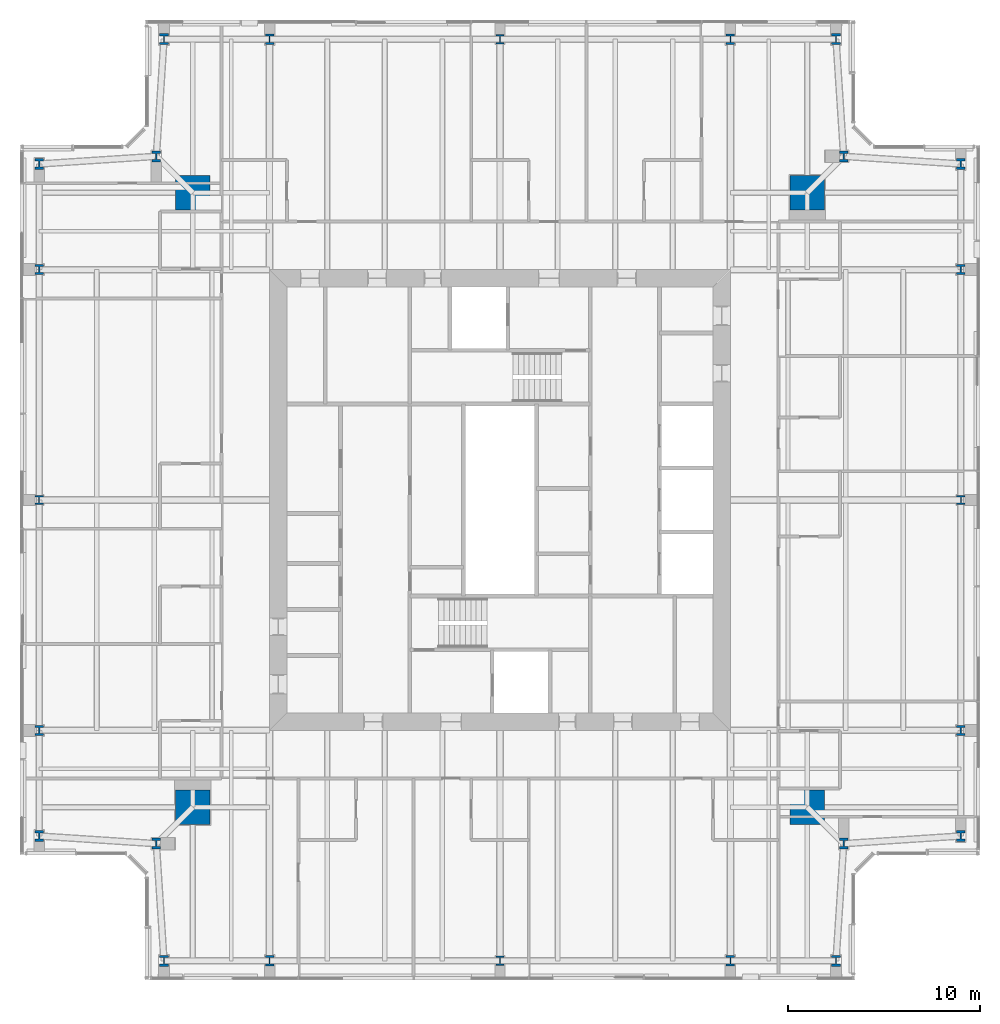
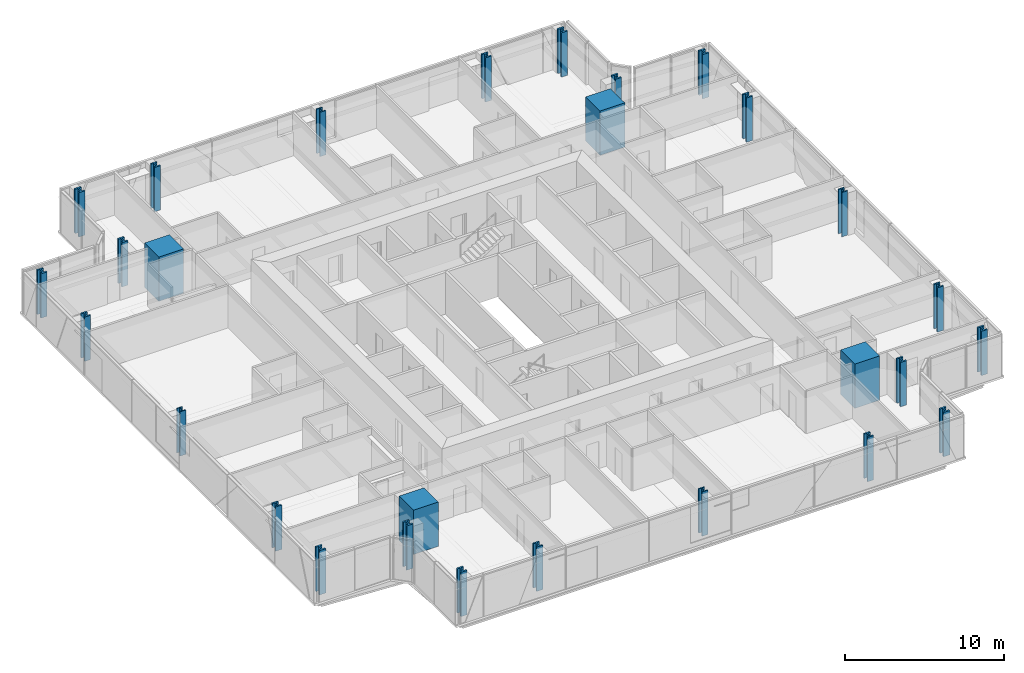
# One storey, part 1 of 20: 28 columns.
"""IFC4 building model written with IfcOpenShell, lengths in metres."""

from ifc_helpers import new_model, si_unit, direction, frame, origin, origin_2d, place, context, subcontext, project, spatial, rectangle, i_section, extrude, material, material_profile, profile_set, type_object, element, save


model = new_model("IFC4")

# Units and contexts
model_context = context("Model", 3, precision=1e-05, world=origin(), true_north=direction((0.0, 1.0)))
body_context = subcontext(model_context, "Body", "Model", "MODEL_VIEW")
ifc_project = project(units=[si_unit("LENGTHUNIT", "METRE"), si_unit("AREAUNIT", "SQUARE_METRE"), si_unit("VOLUMEUNIT", "CUBIC_METRE"), si_unit("PLANEANGLEUNIT", "RADIAN"), si_unit("MASSUNIT", "GRAM", prefix="KILO")], contexts=[model_context])

# Site, building, storey
site_placement = place(None, origin())
site = spatial("IfcSite", under=ifc_project, at=site_placement, CompositionType="ELEMENT")
building_placement = place(site_placement, origin())
building = spatial("IfcBuilding", under=site, at=building_placement, Name="Fenwick Lantern Interchange", CompositionType="ELEMENT")
storey_placement = place(building_placement, frame((0.0, 0.0, 286.60009765625)))
storey = spatial("IfcBuildingStorey", under=building, at=storey_placement, Name="L69", CompositionType="ELEMENT", Elevation=286.60009765625)

# Columns
ifc_material_1 = material(Name="Concrete f'c 70 MPa", Category="concrete")
ifc_material_profile_1 = material_profile(ifc_material_1, rectangle(XDim=1.800048828125, YDim=1.800048828125, at=origin_2d()), Name="RC1800X1800")
ifc_profile_set_1 = profile_set([ifc_material_profile_1], Name="Concrete f'c 70 MPa")
column_type_1 = type_object("IfcColumnType", Name="MEGA COLUMN RC1800X1800", PredefinedType="COLUMN", material=ifc_profile_set_1)
for number, where, z_axis, x_axis, name in (
    (1, (9.0, 9.0, 0.0), (0.0, 0.0, 1.0), (1.0, 0.0, 0.0), "L69/M1"),
    (2, (41.0, 9.0, 0.0), (0.0, 0.0, 1.0), (1.0, 0.0, 0.0), "L69/M2"),
    (3, (41.0, 41.0, 0.0), (0.0, 0.0, 1.0), (1.0, 0.0, 0.0), "L69/M3"),
    (4, (9.0, 41.0, 0.0), (0.0, 0.0, 1.0), (1.0, 0.0, 0.0), "L69/M4"),
):
    element("IfcColumn", number, at=place(storey_placement, frame(where, z_axis=z_axis, x_axis=x_axis)), inside=storey, type_object=column_type_1, Name=name, PredefinedType="COLUMN", context=body_context, shape_type="SweptSolid", body=[
        extrude(rectangle(XDim=1.800048828125, YDim=1.800048828125, at=origin_2d()), origin(), (0.0, 0.0, 1.0), 3.39990234375),
    ])
ifc_material_2 = material(Name="Steel ASTM A992 Grade 50", Category="steel")
ifc_material_profile_2 = material_profile(ifc_material_2, i_section(OverallWidth=0.424072265625, OverallDepth=0.47509765625, WebThickness=0.0478515625, FlangeThickness=0.0771484375, at=origin_2d()), Name="W14X426")
ifc_profile_set_2 = profile_set([ifc_material_profile_2], Name="Steel ASTM A992 Grade 50")
column_type_2 = type_object("IfcColumnType", Name="PERIMETER COLUMN W14X426", PredefinedType="COLUMN", material=ifc_profile_set_2)
for number, where, z_axis, x_axis, name in (
    (5, (25.0, 1.0, 0.0), (0.0, 0.0, 1.0), (1.0, 0.0, 0.0), "L69/CS3"),
    (6, (49.0, 25.0, 0.0), (0.0, 0.0, 1.0), (1.0, 0.0, 0.0), "L69/CE3"),
    (7, (25.0, 49.0, 0.0), (0.0, 0.0, 1.0), (1.0, 0.0, 0.0), "L69/CN3"),
    (8, (1.0, 25.0, 0.0), (0.0, 0.0, 1.0), (1.0, 0.0, 0.0), "L69/CW3"),
):
    element("IfcColumn", number, at=place(storey_placement, frame(where, z_axis=z_axis, x_axis=x_axis)), inside=storey, type_object=column_type_2, Name=name, PredefinedType="COLUMN", context=body_context, shape_type="SweptSolid", body=[
        extrude(i_section(OverallWidth=0.424072265625, OverallDepth=0.47509765625, WebThickness=0.0478515625, FlangeThickness=0.0771484375, at=origin_2d()), origin(), (0.0, 0.0, 1.0), 3.39990234375),
    ])
ifc_material_profile_3 = material_profile(ifc_material_2, i_section(OverallWidth=0.44189453125, OverallDepth=0.53076171875, WebThickness=0.06591796875, FlangeThickness=0.105712890625, at=origin_2d()), Name="W14X605")
ifc_profile_set_3 = profile_set([ifc_material_profile_3], Name="Steel ASTM A992 Grade 50")
column_type_3 = type_object("IfcColumnType", Name="PERIMETER COLUMN W14X605", PredefinedType="COLUMN", material=ifc_profile_set_3)
for number, where, z_axis, x_axis, name in (
    (9, (13.0, 1.0, 0.0), (0.0, 0.0, 1.0), (1.0, 0.0, 0.0), "L69/CS2"),
    (10, (37.0, 1.0, 0.0), (0.0, 0.0, 1.0), (1.0, 0.0, 0.0), "L69/CS4"),
    (11, (49.0, 13.0, 0.0), (0.0, 0.0, 1.0), (1.0, 0.0, 0.0), "L69/CE2"),
    (12, (49.0, 37.0, 0.0), (0.0, 0.0, 1.0), (1.0, 0.0, 0.0), "L69/CE4"),
    (13, (37.0, 49.0, 0.0), (0.0, 0.0, 1.0), (1.0, 0.0, 0.0), "L69/CN2"),
    (14, (13.0, 49.0, 0.0), (0.0, 0.0, 1.0), (1.0, 0.0, 0.0), "L69/CN4"),
    (15, (1.0, 37.0, 0.0), (0.0, 0.0, 1.0), (1.0, 0.0, 0.0), "L69/CW2"),
    (16, (1.0, 13.0, 0.0), (0.0, 0.0, 1.0), (1.0, 0.0, 0.0), "L69/CW4"),
):
    element("IfcColumn", number, at=place(storey_placement, frame(where, z_axis=z_axis, x_axis=x_axis)), inside=storey, type_object=column_type_3, Name=name, PredefinedType="COLUMN", context=body_context, shape_type="SweptSolid", body=[
        extrude(i_section(OverallWidth=0.44189453125, OverallDepth=0.53076171875, WebThickness=0.06591796875, FlangeThickness=0.105712890625, at=origin_2d()), origin(), (0.0, 0.0, 1.0), 3.39990234375),
    ])
ifc_material_profile_4 = material_profile(ifc_material_2, i_section(OverallWidth=0.45458984375, OverallDepth=0.56884765625, WebThickness=0.077880859375, FlangeThickness=0.124755859375, at=origin_2d()), Name="W14X730")
ifc_profile_set_4 = profile_set([ifc_material_profile_4], Name="Steel ASTM A992 Grade 50")
column_type_4 = type_object("IfcColumnType", Name="PERIMETER COLUMN W14X730", PredefinedType="COLUMN", material=ifc_profile_set_4)
for number, where, z_axis, x_axis, name in (
    (17, (7.5, 1.0, 0.0), (0.0, 0.0, 1.0), (1.0, 0.0, 0.0), "L69/CS1"),
    (18, (42.5, 1.0, 0.0), (0.0, 0.0, 1.0), (1.0, 0.0, 0.0), "L69/CS5"),
    (19, (42.89990234375, 7.10009765625, 0.0), (0.0, 0.0, 1.0), (1.0, 0.0, 0.0), "L69/CSR"),
    (20, (49.0, 7.5, 0.0), (0.0, 0.0, 1.0), (1.0, 0.0, 0.0), "L69/CE1"),
    (21, (49.0, 42.5, 0.0), (0.0, 0.0, 1.0), (1.0, 0.0, 0.0), "L69/CE5"),
    (22, (42.89990234375, 42.89990234375, 0.0), (0.0, 0.0, 1.0), (1.0, 0.0, 0.0), "L69/CER"),
    (23, (42.5, 49.0, 0.0), (0.0, 0.0, 1.0), (1.0, 0.0, 0.0), "L69/CN1"),
    (24, (7.5, 49.0, 0.0), (0.0, 0.0, 1.0), (1.0, 0.0, 0.0), "L69/CN5"),
    (25, (7.10009765625, 42.89990234375, 0.0), (0.0, 0.0, 1.0), (1.0, 0.0, 0.0), "L69/CNR"),
    (26, (1.0, 42.5, 0.0), (0.0, 0.0, 1.0), (1.0, 0.0, 0.0), "L69/CW1"),
    (27, (1.0, 7.5, 0.0), (0.0, 0.0, 1.0), (1.0, 0.0, 0.0), "L69/CW5"),
    (28, (7.10009765625, 7.10009765625, 0.0), (0.0, 0.0, 1.0), (1.0, 0.0, 0.0), "L69/CWR"),
):
    element("IfcColumn", number, at=place(storey_placement, frame(where, z_axis=z_axis, x_axis=x_axis)), inside=storey, type_object=column_type_4, Name=name, PredefinedType="COLUMN", context=body_context, shape_type="SweptSolid", body=[
        extrude(i_section(OverallWidth=0.45458984375, OverallDepth=0.56884765625, WebThickness=0.077880859375, FlangeThickness=0.124755859375, at=origin_2d()), origin(), (0.0, 0.0, 1.0), 3.39990234375),
    ])

save(model, "model.ifc")
